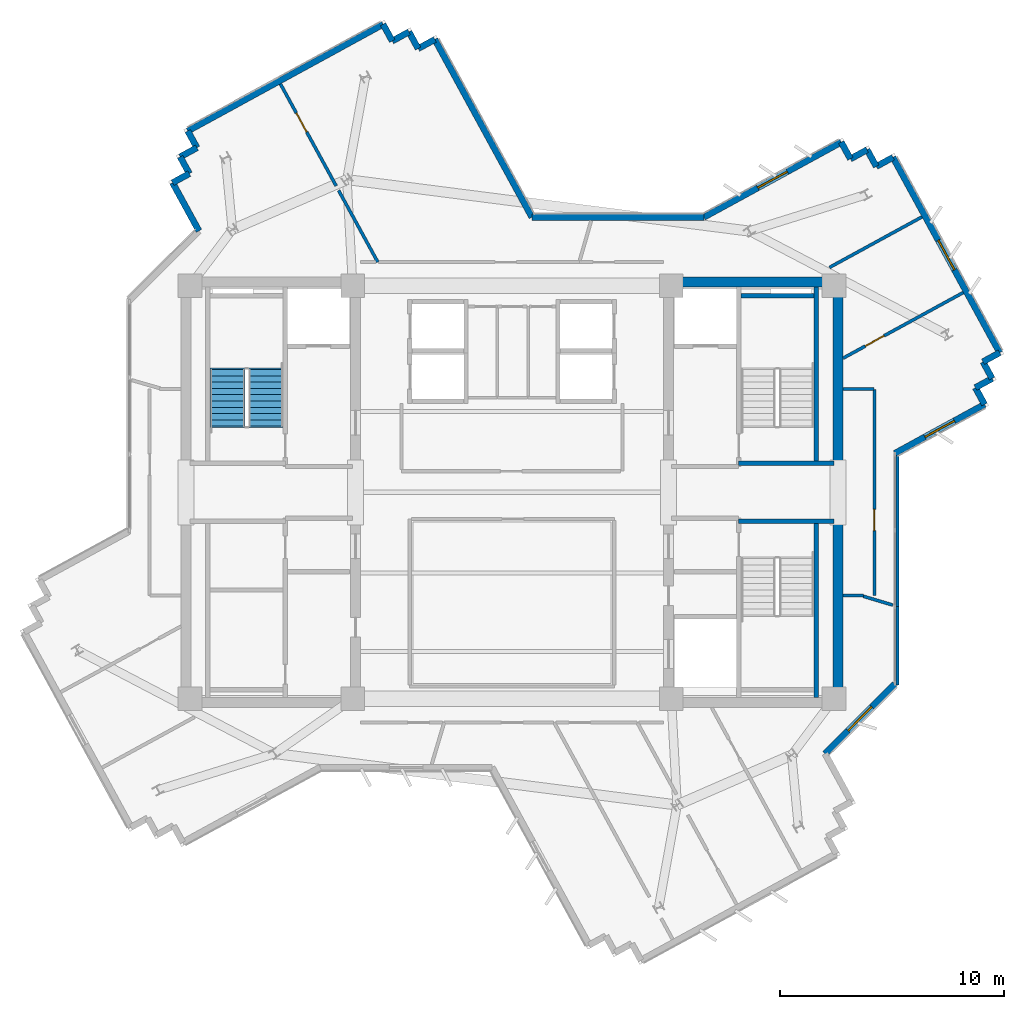
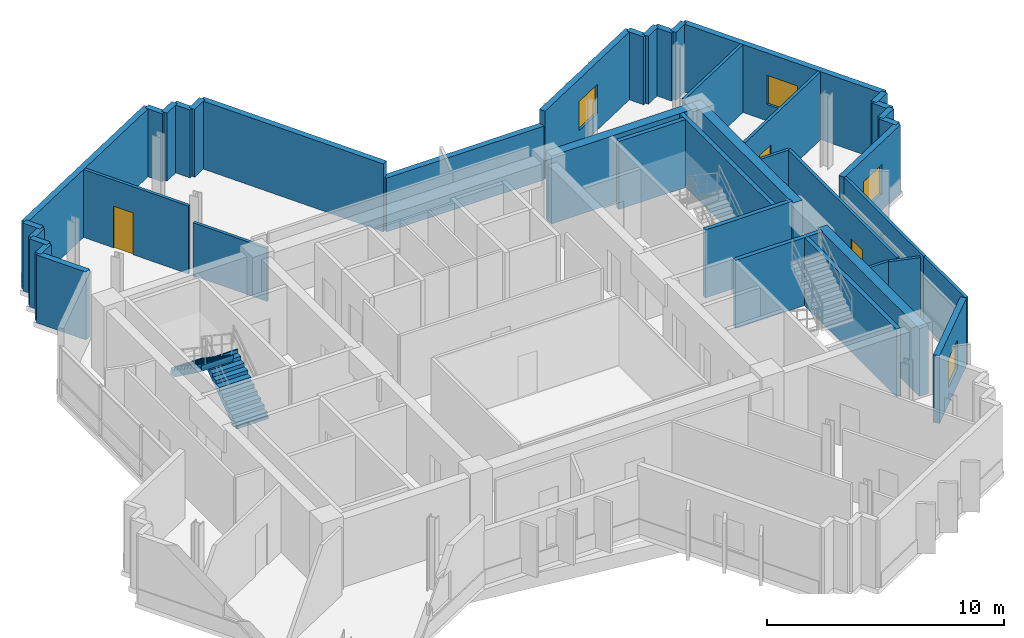
# One storey, part 8 of 13: 42 walls, 4 windows, 3 doors, 2 stair flights, 7 openings, 1 element without a shape of its own.
"""IFC4 building model written with IfcOpenShell, lengths in metres."""

from ifc_helpers import new_model, si_unit, direction, frame, frame_2d, origin, place, context, subcontext, project, spatial, polyline, rectangle, outline, extrude, source, transform, mapped, material, layer, layer_set, type_object, element, fill, aggregate, save


model = new_model("IFC4")

# Units and contexts
model_context = context("Model", 3, precision=1e-05, world=origin(), true_north=direction((0.0, 1.0)))
body_context = subcontext(model_context, "Body", "Model", "MODEL_VIEW")
ifc_project = project(units=[si_unit("LENGTHUNIT", "METRE"), si_unit("AREAUNIT", "SQUARE_METRE"), si_unit("VOLUMEUNIT", "CUBIC_METRE"), si_unit("PLANEANGLEUNIT", "RADIAN"), si_unit("MASSUNIT", "GRAM", prefix="KILO")], contexts=[model_context])

# Site, building, storey
site_placement = place(None, origin())
site = spatial("IfcSite", under=ifc_project, at=site_placement, CompositionType="ELEMENT")
building_placement = place(site_placement, origin())
building = spatial("IfcBuilding", under=site, at=building_placement, Name="Zahravan Cultural Tower", CompositionType="ELEMENT")
storey_placement = place(building_placement, frame((0.0, 0.0, 257.85009765625)))
storey = spatial("IfcBuildingStorey", under=building, at=storey_placement, Name="L61", CompositionType="ELEMENT", Elevation=257.85009765625)

# Wall, opening, window
ifc_material_1 = material(Name="Precast concrete C40/50", Category="concrete")
ifc_layer_1 = layer(ifc_material_1, 0.280029296875)
ifc_layer_set_1 = layer_set([ifc_layer_1], Name="Precast concrete C40/50")
wall_type_1 = type_object("IfcWallType", Name="EW-TC-280", PredefinedType="SOLIDWALL", material=ifc_layer_set_1)
wall_1_placement = place(storey_placement, frame((44.54931640625, 39.260009765625, 0.0), z_axis=(0.0, 0.0, 1.0), x_axis=(0.877569176667, 0.479450039279, 0.0)))
wall_1 = element("IfcWall", 1, at=wall_1_placement, inside=storey, type_object=wall_type_1, Name="L61 Exterior Masonry Frame Wall 01", PredefinedType="SOLIDWALL", context=body_context, shape_type="SweptSolid", body=[
    extrude(rectangle(XDim=6.979248046875, YDim=0.280029296875, at=frame_2d((3.48974609375, 0.0))), origin(), (0.0, 0.0, 1.0), 3.5),
])
opening_1_placement = place(wall_1_placement, frame((2.739990234375, 0.0, 0.85009765625)))
opening_1 = element("IfcOpeningElement", 2, at=opening_1_placement, cuts=wall_1, Name="Opening WN-03", PredefinedType="OPENING", context=body_context, shape_type="SweptSolid", body=[
    extrude(rectangle(XDim=1.5, YDim=1.5, at=frame_2d((0.75, 0.75))), frame((0.0, 0.14990234375, 0.0), z_axis=(0.0, -1.0, 0.0), x_axis=(1.0, 0.0, 0.0)), (0.0, 0.0, 1.0), 0.300048828125),
])
ifc_material_2 = material(Name="Low-E solar-control double glazing", Category="glass")
window_type = type_object("IfcWindowType", Name="WN-REC-1500X1500", PartitioningType="SINGLE_PANEL", PredefinedType="WINDOW", material=ifc_material_2)
shared_shape_1 = source(origin(), body_context, "Body", "SweptSolid", [
    extrude(rectangle(XDim=1.5, YDim=1.5, at=frame_2d((0.75, 0.75))), frame((0.0, 0.030029296875, 0.0), z_axis=(0.0, -1.0, 0.0), x_axis=(1.0, 0.0, 0.0)), (0.0, 0.0, 1.0), 0.06005859375),
])
window_1_placement = place(opening_1_placement, origin())
window_1 = element("IfcWindow", 3, at=window_1_placement, inside=storey, type_object=window_type, Name="L61 Recessed Solar Window 01", OverallHeight=1.5, OverallWidth=1.5, PartitioningType="SINGLE_PANEL", PredefinedType="WINDOW", context=body_context, shape_type="MappedRepresentation", body=[
    mapped(shared_shape_1, transform((0.0, 0.0, 0.0), x_axis=(1.0, 0.0, 0.0), y_axis=(0.0, 1.0, 0.0), z_axis=(0.0, 0.0, 1.0), scale=1.0)),
])
fill(opening_1, window_1)

wall_2_placement = place(storey_placement, frame((52.98095703125, 41.929443359375, 0.0), z_axis=(0.0, 0.0, 1.0), x_axis=(0.479472774144, -0.877556755347, 0.0)))
wall_2 = element("IfcWall", 4, at=wall_2_placement, inside=storey, type_object=wall_type_1, Name="L61 Exterior Masonry Frame Wall 06", PredefinedType="SOLIDWALL", context=body_context, shape_type="SweptSolid", body=[
    extrude(rectangle(XDim=9.919921875, YDim=0.280029296875, at=frame_2d((4.9599609375, 0.0))), origin(), (0.0, 0.0, 1.0), 3.5),
])
opening_2_placement = place(wall_2_placement, frame((4.2099609375, 0.0, 0.85009765625)))
opening_2 = element("IfcOpeningElement", 5, at=opening_2_placement, cuts=wall_2, Name="Opening WN-03", PredefinedType="OPENING", context=body_context, shape_type="SweptSolid", body=[
    extrude(rectangle(XDim=1.5, YDim=1.5, at=frame_2d((0.75, 0.75))), frame((0.0, 0.14990234375, 0.0), z_axis=(0.0, -1.0, 0.0), x_axis=(1.0, 0.0, 0.0)), (0.0, 0.0, 1.0), 0.300048828125),
])
window_2_placement = place(opening_2_placement, origin())
window_2 = element("IfcWindow", 6, at=window_2_placement, inside=storey, type_object=window_type, Name="L61 Recessed Solar Window 02", OverallHeight=1.5, OverallWidth=1.5, PartitioningType="SINGLE_PANEL", PredefinedType="WINDOW", context=body_context, shape_type="MappedRepresentation", body=[
    mapped(shared_shape_1, transform((0.0, 0.0, 0.0), x_axis=(1.0, 0.0, 0.0), y_axis=(0.0, 1.0, 0.0), z_axis=(0.0, 0.0, 1.0), scale=1.0)),
])
fill(opening_2, window_2)

wall_3_placement = place(storey_placement, frame((57.060302734375, 30.9169921875, 0.0), z_axis=(0.0, 0.0, 1.0), x_axis=(-0.877563774399, -0.479459927276, 0.0)))
wall_3 = element("IfcWall", 7, at=wall_3_placement, inside=storey, type_object=wall_type_1, Name="L61 Exterior Masonry Frame Wall 11", PredefinedType="SOLIDWALL", context=body_context, shape_type="SweptSolid", body=[
    extrude(rectangle(XDim=4.558349609375, YDim=0.280029296875, at=frame_2d((2.279296875, 0.0))), origin(), (0.0, 0.0, 1.0), 3.5),
])
opening_3_placement = place(wall_3_placement, frame((1.529052734375, 0.0, 0.85009765625)))
opening_3 = element("IfcOpeningElement", 8, at=opening_3_placement, cuts=wall_3, Name="Opening WN-03", PredefinedType="OPENING", context=body_context, shape_type="SweptSolid", body=[
    extrude(rectangle(XDim=1.5, YDim=1.5, at=frame_2d((0.75, 0.75))), frame((0.0, 0.14990234375, 0.0), z_axis=(0.0, -1.0, 0.0), x_axis=(1.0, 0.0, 0.0)), (0.0, 0.0, 1.0), 0.300048828125),
])
window_3_placement = place(opening_3_placement, origin())
window_3 = element("IfcWindow", 9, at=window_3_placement, inside=storey, type_object=window_type, Name="L61 Recessed Solar Window 03", OverallHeight=1.5, OverallWidth=1.5, PartitioningType="SINGLE_PANEL", PredefinedType="WINDOW", context=body_context, shape_type="MappedRepresentation", body=[
    mapped(shared_shape_1, transform((0.0, 0.0, 0.0), x_axis=(1.0, 0.0, 0.0), y_axis=(0.0, 1.0, 0.0), z_axis=(0.0, 0.0, 1.0), scale=1.0)),
])
fill(opening_3, window_3)

wall_4_placement = place(storey_placement, frame((53.06005859375, 18.4580078125, 0.0), z_axis=(0.0, 0.0, 1.0), x_axis=(-0.707106781187, -0.707106781187, 0.0)))
wall_4 = element("IfcWall", 10, at=wall_4_placement, inside=storey, type_object=wall_type_1, Name="L61 Exterior Masonry Frame Wall 12", PredefinedType="SOLIDWALL", context=body_context, shape_type="SweptSolid", body=[
    extrude(rectangle(XDim=4.3935546875, YDim=0.280029296875, at=frame_2d((2.19677734375, 0.0))), origin(), (0.0, 0.0, 1.0), 3.5),
])
opening_4_placement = place(wall_4_placement, frame((1.447021484375, 0.0, 0.85009765625)))
opening_4 = element("IfcOpeningElement", 11, at=opening_4_placement, cuts=wall_4, Name="Opening WN-03", PredefinedType="OPENING", context=body_context, shape_type="SweptSolid", body=[
    extrude(rectangle(XDim=1.5, YDim=1.5, at=frame_2d((0.75, 0.75))), frame((0.0, 0.14990234375, 0.0), z_axis=(0.0, -1.0, 0.0), x_axis=(1.0, 0.0, 0.0)), (0.0, 0.0, 1.0), 0.300048828125),
])
window_4_placement = place(opening_4_placement, origin())
window_4 = element("IfcWindow", 12, at=window_4_placement, inside=storey, type_object=window_type, Name="L61 Recessed Solar Window 04", OverallHeight=1.5, OverallWidth=1.5, PartitioningType="SINGLE_PANEL", PredefinedType="WINDOW", context=body_context, shape_type="MappedRepresentation", body=[
    mapped(shared_shape_1, transform((0.0, 0.0, 0.0), x_axis=(1.0, 0.0, 0.0), y_axis=(0.0, 1.0, 0.0), z_axis=(0.0, 0.0, 1.0), scale=1.0)),
])
fill(opening_4, window_4)

# Wall, opening, door
ifc_material_3 = material(Name="Gypsum plasterboard partition")
ifc_layer_2 = layer(ifc_material_3, 0.139892578125)
ifc_layer_set_2 = layer_set([ifc_layer_2], Name="Gypsum plasterboard partition")
wall_type_2 = type_object("IfcWallType", Name="W-PART-140", PredefinedType="PARTITIONING", material=ifc_layer_set_2)
wall_5_placement = place(storey_placement, frame((56.109375, 35.9013671875, 0.0), z_axis=(0.0, 0.0, 1.0), x_axis=(-0.877574248726, -0.479440755436, 0.0)))
wall_5 = element("IfcWall", 13, at=wall_5_placement, inside=storey, type_object=wall_type_2, Name="L61 Interior Wall 050", PredefinedType="PARTITIONING", context=body_context, shape_type="SweptSolid", body=[
    extrude(rectangle(XDim=6.1015625, YDim=0.139892578125, at=frame_2d((3.05078125, 0.0))), origin(), (0.0, 0.0, 1.0), 3.5),
])
opening_5_placement = place(wall_5_placement, frame((4.01806640625, 0.0, 0.0)))
opening_5 = element("IfcOpeningElement", 14, at=opening_5_placement, cuts=wall_5, Name="Opening D-L61-24", PredefinedType="OPENING", context=body_context, shape_type="SweptSolid", body=[
    extrude(rectangle(XDim=0.949951171875, YDim=2.14990234375, at=frame_2d((0.47509765625, 1.074951171875))), frame((0.0, 0.079833984375, 0.0), z_axis=(0.0, -1.0, 0.0), x_axis=(1.0, 0.0, 0.0)), (0.0, 0.0, 1.0), 0.159912109375),
])
ifc_material_4 = material(Name="Anodised bronze-aluminium mullion", Category="aluminium")
door_type = type_object("IfcDoorType", Name="DR-ROOM-950", OperationType="NOTDEFINED", PredefinedType="DOOR", material=ifc_material_4)
shared_shape_2 = source(origin(), body_context, "Body", "SweptSolid", [
    extrude(rectangle(XDim=0.949951171875, YDim=2.14990234375, at=frame_2d((0.47509765625, 1.074951171875))), frame((0.0, 0.02490234375, 0.0), z_axis=(0.0, -1.0, 0.0), x_axis=(1.0, 0.0, 0.0)), (0.0, 0.0, 1.0), 0.050048828125),
])
door_1_placement = place(opening_5_placement, origin())
door_1 = element("IfcDoor", 15, at=door_1_placement, inside=storey, type_object=door_type, Name="L61 Door D-L61-24", OperationType="SINGLE_SWING_RIGHT", OverallHeight=2.14990234375, OverallWidth=0.949951171875, PredefinedType="DOOR", context=body_context, shape_type="MappedRepresentation", body=[
    mapped(shared_shape_2, transform((0.0, 0.0, 0.0), x_axis=(1.0, 0.0, 0.0), y_axis=(0.0, 1.0, 0.0), z_axis=(0.0, 0.0, 1.0), scale=1.0)),
])
fill(opening_5, door_1)

wall_6_placement = place(storey_placement, frame((52.14990234375, 22.406005859375, 0.0), z_axis=(0.0, 0.0, 1.0), x_axis=(-2.657666e-05, 0.999999999647, 0.0)))
wall_6 = element("IfcWall", 16, at=wall_6_placement, inside=storey, type_object=wall_type_2, Name="L61 Interior Wall 066", PredefinedType="PARTITIONING", context=body_context, shape_type="SweptSolid", body=[
    extrude(rectangle(XDim=9.186279296875, YDim=0.139892578125, at=frame_2d((4.59326171875, 0.0))), origin(), (0.0, 0.0, 1.0), 3.5),
])
opening_6_placement = place(wall_6_placement, frame((2.8828125, 0.0, 0.0)))
opening_6 = element("IfcOpeningElement", 17, at=opening_6_placement, cuts=wall_6, Name="Opening D-L61-17", PredefinedType="OPENING", context=body_context, shape_type="SweptSolid", body=[
    extrude(rectangle(XDim=0.949951171875, YDim=2.14990234375, at=frame_2d((0.47509765625, 1.074951171875))), frame((0.0, 0.079833984375, 0.0), z_axis=(0.0, -1.0, 0.0), x_axis=(1.0, 0.0, 0.0)), (0.0, 0.0, 1.0), 0.159912109375),
])
door_2_placement = place(opening_6_placement, origin())
door_2 = element("IfcDoor", 18, at=door_2_placement, inside=storey, type_object=door_type, Name="L61 Door D-L61-17", OperationType="SINGLE_SWING_LEFT", OverallHeight=2.14990234375, OverallWidth=0.949951171875, PredefinedType="DOOR", context=body_context, shape_type="MappedRepresentation", body=[
    mapped(shared_shape_2, transform((0.0, 0.0, 0.0), x_axis=(1.0, 0.0, 0.0), y_axis=(0.0, 1.0, 0.0), z_axis=(0.0, 0.0, 1.0), scale=1.0)),
])
fill(opening_6, door_2)

wall_7_placement = place(storey_placement, frame((25.6826171875, 45.196044921875, 0.0), z_axis=(0.0, 0.0, 1.0), x_axis=(0.479427410708, -0.877581539153, 0.0)))
wall_7 = element("IfcWall", 19, at=wall_7_placement, inside=storey, type_object=wall_type_2, Name="L61 Interior Wall 077", PredefinedType="PARTITIONING", context=body_context, shape_type="SweptSolid", body=[
    extrude(rectangle(XDim=5.1728515625, YDim=0.139892578125, at=frame_2d((2.58642578125, 0.0))), origin(), (0.0, 0.0, 1.0), 3.5),
])
opening_7_placement = place(wall_7_placement, frame((1.47802734375, 0.0, 0.0)))
opening_7 = element("IfcOpeningElement", 20, at=opening_7_placement, cuts=wall_7, Name="Opening D-L61-25", PredefinedType="OPENING", context=body_context, shape_type="SweptSolid", body=[
    extrude(rectangle(XDim=0.949951171875, YDim=2.14990234375, at=frame_2d((0.47509765625, 1.074951171875))), frame((0.0, 0.079833984375, 0.0), z_axis=(0.0, -1.0, 0.0), x_axis=(1.0, 0.0, 0.0)), (0.0, 0.0, 1.0), 0.159912109375),
])
door_3_placement = place(opening_7_placement, origin())
door_3 = element("IfcDoor", 21, at=door_3_placement, inside=storey, type_object=door_type, Name="L61 Door D-L61-25", OperationType="SINGLE_SWING_LEFT", OverallHeight=2.14990234375, OverallWidth=0.949951171875, PredefinedType="DOOR", context=body_context, shape_type="MappedRepresentation", body=[
    mapped(shared_shape_2, transform((0.0, 0.0, 0.0), x_axis=(1.0, 0.0, 0.0), y_axis=(0.0, 1.0, 0.0), z_axis=(0.0, 0.0, 1.0), scale=1.0)),
])
fill(opening_7, door_3)

# Walls
ifc_material_5 = material(Name="Concrete C50/60", Category="concrete")
ifc_layer_3 = layer(ifc_material_5, 0.449951171875)
ifc_layer_set_3 = layer_set([ifc_layer_3], Name="Concrete C50/60")
wall_type_3 = type_object("IfcWallType", Name="CW-SHEAR-450-C50", PredefinedType="SHEAR", material=ifc_layer_set_3)
shared_shape_3 = source(origin(), body_context, "Body", "SweptSolid", [
    extrude(rectangle(XDim=8.550048828125, YDim=0.449951171875, at=frame_2d((4.27490234375, 0.0))), origin(), (0.0, 0.0, 1.0), 3.5),
])
for number, where, z_axis, x_axis, name in (
    (22, (50.52490234375, 17.39990234375, 0.0), (0.0, 0.0, 1.0), (0.0, 1.0, 0.0), "L61 Core Shear Wall CW-E-ES-L61"),
    (23, (50.52490234375, 28.050048828125, 0.0), (0.0, 0.0, 1.0), (0.0, 1.0, 0.0), "L61 Core Shear Wall CW-E-EN-L61"),
):
    element("IfcWall", number, at=place(storey_placement, frame(where, z_axis=z_axis, x_axis=x_axis)), inside=storey, type_object=wall_type_3, Name=name, PredefinedType="SHEAR", context=body_context, shape_type="MappedRepresentation", body=[
        mapped(shared_shape_3, transform((0.0, 0.0, 0.0), x_axis=(1.0, 0.0, 0.0), y_axis=(0.0, 1.0, 0.0), z_axis=(0.0, 0.0, 1.0), scale=1.0)),
    ])
shared_shape_4 = source(origin(), body_context, "Body", "SweptSolid", [
    extrude(rectangle(XDim=7.10009765625, YDim=0.449951171875, at=frame_2d((3.550048828125, 0.0))), origin(), (0.0, 0.0, 1.0), 3.5),
])
wall_8_placement = place(storey_placement, frame((43.199951171875, 36.375, 0.0), z_axis=(0.0, 0.0, 1.0), x_axis=(1.0, 0.0, 0.0)))
element("IfcWall", 24, at=wall_8_placement, inside=storey, type_object=wall_type_3, Name="L61 Core Shear Wall CW-E-N-L61", PredefinedType="SHEAR", context=body_context, shape_type="MappedRepresentation", body=[
    mapped(shared_shape_4, transform((0.0, 0.0, 0.0), x_axis=(1.0, 0.0, 0.0), y_axis=(0.0, 1.0, 0.0), z_axis=(0.0, 0.0, 1.0), scale=1.0)),
])
shared_shape_5 = source(origin(), body_context, "Body", "SweptSolid", [
    extrude(rectangle(XDim=0.85009765625, YDim=0.280029296875, at=frame_2d((0.425048828125, 0.0))), origin(), (0.0, 0.0, 1.0), 3.5),
])
for number, where, z_axis, x_axis, name in (
    (25, (51.827392578125, 42.267822265625, 0.0), (0.0, 0.0, 1.0), (0.479656876283, -0.877456141943, 0.0), "L61 Exterior Masonry Frame Wall 04"),
    (26, (56.65283203125, 31.6630859375, 0.0), (0.0, 0.0, 1.0), (0.479314855696, -0.877643019177, 0.0), "L61 Exterior Masonry Frame Wall 10"),
    (27, (21.619140625, 41.2041015625, 0.0), (0.0, 0.0, 1.0), (-0.479656876283, 0.877456141943, 0.0), "L61 Exterior Masonry Frame Wall 39"),
    (28, (21.21142578125, 41.949951171875, 0.0), (0.0, 0.0, 1.0), (0.877643019177, 0.479314855696, 0.0), "L61 Exterior Masonry Frame Wall 40"),
    (29, (31.40869140625, 47.521240234375, 0.0), (0.0, 0.0, 1.0), (0.479656876283, -0.877456141943, 0.0), "L61 Exterior Masonry Frame Wall 45"),
):
    element("IfcWall", number, at=place(storey_placement, frame(where, z_axis=z_axis, x_axis=x_axis)), inside=storey, type_object=wall_type_1, Name=name, PredefinedType="SOLIDWALL", context=body_context, shape_type="MappedRepresentation", body=[
        mapped(shared_shape_5, transform((0.0, 0.0, 0.0), x_axis=(1.0, 0.0, 0.0), y_axis=(0.0, 1.0, 0.0), z_axis=(0.0, 0.0, 1.0), scale=1.0)),
    ])
shared_shape_6 = source(origin(), body_context, "Body", "SweptSolid", [
    extrude(rectangle(XDim=0.849853515625, YDim=0.280029296875, at=frame_2d((0.4248046875, 0.0))), origin(), (0.0, 0.0, 1.0), 3.5),
])
for number, where, z_axis, x_axis, name in (
    (30, (50.674072265625, 42.606201171875, 0.0), (0.0, 0.0, 1.0), (0.479435691737, -0.877577015132, 0.0), "L61 Exterior Masonry Frame Wall 02"),
    (31, (51.08154296875, 41.8603515625, 0.0), (0.0, 0.0, 1.0), (0.877577015132, 0.479435691737, 0.0), "L61 Exterior Masonry Frame Wall 03"),
    (32, (52.235107421875, 41.52197265625, 0.0), (0.0, 0.0, 1.0), (0.877577015132, 0.479435691737, 0.0), "L61 Exterior Masonry Frame Wall 05"),
    (33, (56.9912109375, 32.81640625, 0.0), (0.0, 0.0, 1.0), (0.479435691737, -0.877577015132, 0.0), "L61 Exterior Masonry Frame Wall 08"),
    (34, (57.398681640625, 32.070556640625, 0.0), (0.0, 0.0, 1.0), (-0.877577015132, -0.479435691737, 0.0), "L61 Exterior Masonry Frame Wall 09"),
    (35, (30.25537109375, 47.859619140625, 0.0), (0.0, 0.0, 1.0), (0.479435691737, -0.877577015132, 0.0), "L61 Exterior Masonry Frame Wall 43"),
    (36, (30.662841796875, 47.11376953125, 0.0), (0.0, 0.0, 1.0), (0.877577015132, 0.479435691737, 0.0), "L61 Exterior Masonry Frame Wall 44"),
    (37, (31.81640625, 46.775390625, 0.0), (0.0, 0.0, 1.0), (0.877577015132, 0.479435691737, 0.0), "L61 Exterior Masonry Frame Wall 46"),
):
    element("IfcWall", number, at=place(storey_placement, frame(where, z_axis=z_axis, x_axis=x_axis)), inside=storey, type_object=wall_type_1, Name=name, PredefinedType="SOLIDWALL", context=body_context, shape_type="MappedRepresentation", body=[
        mapped(shared_shape_6, transform((0.0, 0.0, 0.0), x_axis=(1.0, 0.0, 0.0), y_axis=(0.0, 1.0, 0.0), z_axis=(0.0, 0.0, 1.0), scale=1.0)),
    ])
shared_shape_7 = source(origin(), body_context, "Body", "SweptSolid", [
    extrude(rectangle(XDim=9.920166015625, YDim=0.280029296875, at=frame_2d((4.9599609375, 0.0))), origin(), (0.0, 0.0, 1.0), 3.5),
])
wall_9_placement = place(storey_placement, frame((21.5498046875, 43.103515625, 0.0), z_axis=(0.0, 0.0, 1.0), x_axis=(0.877572768104, 0.479443465574, 0.0)))
element("IfcWall", 38, at=wall_9_placement, inside=storey, type_object=wall_type_1, Name="L61 Exterior Masonry Frame Wall 42", PredefinedType="SOLIDWALL", context=body_context, shape_type="MappedRepresentation", body=[
    mapped(shared_shape_7, transform((0.0, 0.0, 0.0), x_axis=(1.0, 0.0, 0.0), y_axis=(0.0, 1.0, 0.0), z_axis=(0.0, 0.0, 1.0), scale=1.0)),
])
shared_shape_8 = source(origin(), body_context, "Body", "SweptSolid", [
    extrude(rectangle(XDim=0.850341796875, YDim=0.280029296875, at=frame_2d((0.42529296875, 0.0))), origin(), (0.0, 0.0, 1.0), 3.5),
])
for number, where, z_axis, x_axis, name in (
    (39, (57.7373046875, 33.22412109375, 0.0), (0.0, 0.0, 1.0), (-0.87752219781, -0.479536017782, 0.0), "L61 Exterior Masonry Frame Wall 07"),
    (40, (20.873046875, 40.79638671875, 0.0), (0.0, 0.0, 1.0), (0.87752219781, 0.479536017782, 0.0), "L61 Exterior Masonry Frame Wall 38"),
    (41, (21.95751953125, 42.357421875, 0.0), (0.0, 0.0, 1.0), (-0.479536017782, 0.87752219781, 0.0), "L61 Exterior Masonry Frame Wall 41"),
):
    element("IfcWall", number, at=place(storey_placement, frame(where, z_axis=z_axis, x_axis=x_axis)), inside=storey, type_object=wall_type_1, Name=name, PredefinedType="SOLIDWALL", context=body_context, shape_type="MappedRepresentation", body=[
        mapped(shared_shape_8, transform((0.0, 0.0, 0.0), x_axis=(1.0, 0.0, 0.0), y_axis=(0.0, 1.0, 0.0), z_axis=(0.0, 0.0, 1.0), scale=1.0)),
    ])
shared_shape_9 = source(origin(), body_context, "Body", "SweptSolid", [
    extrude(rectangle(XDim=2.447509765625, YDim=0.280029296875, at=frame_2d((1.2236328125, 0.0))), origin(), (0.0, 0.0, 1.0), 3.5),
])
wall_10_placement = place(storey_placement, frame((22.046630859375, 38.648681640625, 0.0), z_axis=(0.0, 0.0, 1.0), x_axis=(-0.47951595933, 0.877533158774, 0.0)))
element("IfcWall", 42, at=wall_10_placement, inside=storey, type_object=wall_type_1, Name="L61 Exterior Masonry Frame Wall 37", PredefinedType="SOLIDWALL", context=body_context, shape_type="MappedRepresentation", body=[
    mapped(shared_shape_9, transform((0.0, 0.0, 0.0), x_axis=(1.0, 0.0, 0.0), y_axis=(0.0, 1.0, 0.0), z_axis=(0.0, 0.0, 1.0), scale=1.0)),
])
shared_shape_10 = source(origin(), body_context, "Body", "SweptSolid", [
    extrude(rectangle(XDim=9.0283203125, YDim=0.280029296875, at=frame_2d((4.51416015625, 0.0))), origin(), (0.0, 0.0, 1.0), 3.5),
])
wall_11_placement = place(storey_placement, frame((32.562255859375, 47.182861328125, 0.0), z_axis=(0.0, 0.0, 1.0), x_axis=(0.479475345647, -0.877555350344, 0.0)))
element("IfcWall", 43, at=wall_11_placement, inside=storey, type_object=wall_type_1, Name="L61 Exterior Masonry Frame Wall 47", PredefinedType="SOLIDWALL", context=body_context, shape_type="MappedRepresentation", body=[
    mapped(shared_shape_10, transform((0.0, 0.0, 0.0), x_axis=(1.0, 0.0, 0.0), y_axis=(0.0, 1.0, 0.0), z_axis=(0.0, 0.0, 1.0), scale=1.0)),
])
shared_shape_11 = source(origin(), body_context, "Body", "SweptSolid", [
    extrude(rectangle(XDim=7.658203125, YDim=0.280029296875, at=frame_2d((3.8291015625, 0.0))), origin(), (0.0, 0.0, 1.0), 2.77197265625),
])
wall_12_placement = place(storey_placement, frame((36.89111328125, 39.260009765625, 0.0), z_axis=(0.0, 0.0, 1.0), x_axis=(1.0, 0.0, 0.0)))
element("IfcWall", 44, at=wall_12_placement, inside=storey, type_object=wall_type_1, Name="L61 Exterior Masonry Frame Wall 48", PredefinedType="SOLIDWALL", context=body_context, shape_type="MappedRepresentation", body=[
    mapped(shared_shape_11, transform((0.0, 0.0, 0.0), x_axis=(1.0, 0.0, 0.0), y_axis=(0.0, 1.0, 0.0), z_axis=(0.0, 0.0, 1.0), scale=1.0)),
])
ifc_material_6 = material(Name="Concrete C45/55", Category="concrete")
ifc_layer_4 = layer(ifc_material_6, 0.199951171875)
ifc_layer_set_4 = layer_set([ifc_layer_4], Name="Concrete C45/55")
wall_type_4 = type_object("IfcWallType", Name="W-SHAFT-200", PredefinedType="SOLIDWALL", material=ifc_layer_set_4)
shared_shape_12 = source(origin(), body_context, "Body", "SweptSolid", [
    extrude(rectangle(XDim=7.869873046875, YDim=0.199951171875, at=frame_2d((3.93505859375, 0.0))), origin(), (0.0, 0.0, 1.0), 3.5),
])
for number, where, z_axis, x_axis, name in (
    (45, (49.550048828125, 17.85009765625, 0.0), (0.0, 0.0, 1.0), (0.0, 1.0, 0.0), "L61 Interior Wall 003"),
    (46, (49.550048828125, 28.280029296875, 0.0), (0.0, 0.0, 1.0), (0.0, 1.0, 0.0), "L61 Interior Wall 004"),
):
    element("IfcWall", number, at=place(storey_placement, frame(where, z_axis=z_axis, x_axis=x_axis)), inside=storey, type_object=wall_type_4, Name=name, PredefinedType="SOLIDWALL", context=body_context, shape_type="MappedRepresentation", body=[
        mapped(shared_shape_12, transform((0.0, 0.0, 0.0), x_axis=(1.0, 0.0, 0.0), y_axis=(0.0, 1.0, 0.0), z_axis=(0.0, 0.0, 1.0), scale=1.0)),
    ])
shared_shape_13 = source(origin(), body_context, "Body", "SweptSolid", [
    extrude(rectangle(XDim=4.25, YDim=0.199951171875, at=frame_2d((2.125, 0.0))), origin(), (0.0, 0.0, 1.0), 3.5),
])
for number, where, z_axis, x_axis, name in (
    (47, (46.10009765625, 25.715087890625, 0.0), (0.0, 0.0, 1.0), (1.0, 0.0, 0.0), "L61 Interior Wall 014"),
    (48, (46.10009765625, 28.284912109375, 0.0), (0.0, 0.0, 1.0), (1.0, 0.0, 0.0), "L61 Interior Wall 016"),
):
    element("IfcWall", number, at=place(storey_placement, frame(where, z_axis=z_axis, x_axis=x_axis)), inside=storey, type_object=wall_type_4, Name=name, PredefinedType="SOLIDWALL", context=body_context, shape_type="MappedRepresentation", body=[
        mapped(shared_shape_13, transform((0.0, 0.0, 0.0), x_axis=(1.0, 0.0, 0.0), y_axis=(0.0, 1.0, 0.0), z_axis=(0.0, 0.0, 1.0), scale=1.0)),
    ])
shared_shape_14 = source(origin(), body_context, "Body", "SweptSolid", [
    extrude(rectangle(XDim=3.25, YDim=0.199951171875, at=frame_2d((1.625, 0.0))), origin(), (0.0, 0.0, 1.0), 3.5),
])
wall_13_placement = place(storey_placement, frame((46.199951171875, 35.75, 0.0), z_axis=(0.0, 0.0, 1.0), x_axis=(1.0, 0.0, 0.0)))
element("IfcWall", 49, at=wall_13_placement, inside=storey, type_object=wall_type_4, Name="L61 Interior Wall 018", PredefinedType="SOLIDWALL", context=body_context, shape_type="MappedRepresentation", body=[
    mapped(shared_shape_14, transform((0.0, 0.0, 0.0), x_axis=(1.0, 0.0, 0.0), y_axis=(0.0, 1.0, 0.0), z_axis=(0.0, 0.0, 1.0), scale=1.0)),
])
shared_shape_15 = source(origin(), body_context, "Body", "SweptSolid", [
    extrude(rectangle(XDim=4.6953125, YDim=0.139892578125, at=frame_2d((2.34765625, 0.0))), origin(), (0.0, 0.0, 1.0), 3.5),
])
wall_14_placement = place(storey_placement, frame((50.147705078125, 37.02001953125, 0.0), z_axis=(0.0, 0.0, 1.0), x_axis=(0.877559526902, 0.479467701461, 0.0)))
element("IfcWall", 50, at=wall_14_placement, inside=storey, type_object=wall_type_2, Name="L61 Interior Wall 049", PredefinedType="PARTITIONING", context=body_context, shape_type="MappedRepresentation", body=[
    mapped(shared_shape_15, transform((0.0, 0.0, 0.0), x_axis=(1.0, 0.0, 0.0), y_axis=(0.0, 1.0, 0.0), z_axis=(0.0, 0.0, 1.0), scale=1.0)),
])
shared_shape_16 = source(origin(), body_context, "Body", "SweptSolid", [
    extrude(rectangle(XDim=1.38916015625, YDim=0.139892578125, at=frame_2d((0.694580078125, 0.0))), origin(), (0.0, 0.0, 1.0), 3.5),
])
wall_15_placement = place(storey_placement, frame((52.14404296875, 31.60009765625, 0.0), z_axis=(0.0, 0.0, 1.0), x_axis=(-1.0, 0.0, 0.0)))
element("IfcWall", 51, at=wall_15_placement, inside=storey, type_object=wall_type_2, Name="L61 Interior Wall 067", PredefinedType="PARTITIONING", context=body_context, shape_type="MappedRepresentation", body=[
    mapped(shared_shape_16, transform((0.0, 0.0, 0.0), x_axis=(1.0, 0.0, 0.0), y_axis=(0.0, 1.0, 0.0), z_axis=(0.0, 0.0, 1.0), scale=1.0)),
])
shared_shape_17 = source(origin(), body_context, "Body", "SweptSolid", [
    extrude(rectangle(XDim=6.7216796875, YDim=0.139892578125, at=frame_2d((3.36083984375, 0.0))), origin(), (0.0, 0.0, 1.0), 3.5),
])
wall_16_placement = place(storey_placement, frame((53.18359375, 28.6337890625, 0.0), z_axis=(0.0, 0.0, 1.0), x_axis=(-0.000544820492, -0.999999851585, 0.0)))
element("IfcWall", 52, at=wall_16_placement, inside=storey, type_object=wall_type_2, Name="L61 Interior Wall 068", PredefinedType="PARTITIONING", context=body_context, shape_type="MappedRepresentation", body=[
    mapped(shared_shape_17, transform((0.0, 0.0, 0.0), x_axis=(1.0, 0.0, 0.0), y_axis=(0.0, 1.0, 0.0), z_axis=(0.0, 0.0, 1.0), scale=1.0)),
])
shared_shape_18 = source(origin(), body_context, "Body", "SweptSolid", [
    extrude(rectangle(XDim=1.372802734375, YDim=0.139892578125, at=frame_2d((0.6865234375, 0.0))), origin(), (0.0, 0.0, 1.0), 3.5),
])
wall_17_placement = place(storey_placement, frame((52.972412109375, 21.97412109375, 0.0), z_axis=(0.0, 0.0, 1.0), x_axis=(-0.958236472503, 0.285977031883, 0.0)))
element("IfcWall", 53, at=wall_17_placement, inside=storey, type_object=wall_type_2, Name="L61 Interior Wall 069", PredefinedType="PARTITIONING", context=body_context, shape_type="MappedRepresentation", body=[
    mapped(shared_shape_18, transform((0.0, 0.0, 0.0), x_axis=(1.0, 0.0, 0.0), y_axis=(0.0, 1.0, 0.0), z_axis=(0.0, 0.0, 1.0), scale=1.0)),
])
shared_shape_19 = source(origin(), body_context, "Body", "SweptSolid", [
    extrude(rectangle(XDim=0.912109375, YDim=0.139892578125, at=frame_2d((0.4560546875, 0.0))), origin(), (0.0, 0.0, 1.0), 3.5),
])
wall_18_placement = place(storey_placement, frame((50.7548828125, 22.39990234375, 0.0), z_axis=(0.0, 0.0, 1.0), x_axis=(1.0, 0.0, 0.0)))
element("IfcWall", 54, at=wall_18_placement, inside=storey, type_object=wall_type_2, Name="L61 Interior Wall 070", PredefinedType="PARTITIONING", context=body_context, shape_type="MappedRepresentation", body=[
    mapped(shared_shape_19, transform((0.0, 0.0, 0.0), x_axis=(1.0, 0.0, 0.0), y_axis=(0.0, 1.0, 0.0), z_axis=(0.0, 0.0, 1.0), scale=1.0)),
])
shared_shape_20 = source(origin(), body_context, "Body", "SweptSolid", [
    extrude(rectangle(XDim=3.50390625, YDim=0.139892578125, at=frame_2d((1.751953125, 0.0))), origin(), (0.0, 0.0, 1.0), 3.5),
])
wall_19_placement = place(storey_placement, frame((53.179931640625, 21.912109375, 0.0), z_axis=(0.0, 0.0, 1.0), x_axis=(0.0, -1.0, 0.0)))
element("IfcWall", 55, at=wall_19_placement, inside=storey, type_object=wall_type_2, Name="L61 Interior Wall 071", PredefinedType="PARTITIONING", context=body_context, shape_type="MappedRepresentation", body=[
    mapped(shared_shape_20, transform((0.0, 0.0, 0.0), x_axis=(1.0, 0.0, 0.0), y_axis=(0.0, 1.0, 0.0), z_axis=(0.0, 0.0, 1.0), scale=1.0)),
])
shared_shape_21 = source(origin(), body_context, "Body", "SweptSolid", [
    extrude(rectangle(XDim=3.6435546875, YDim=0.139892578125, at=frame_2d((1.82177734375, 0.0))), origin(), (0.0, 0.0, 1.0), 2.72998046875),
])
wall_20_placement = place(storey_placement, frame((28.271484375, 40.457275390625, 0.0), z_axis=(0.0, 0.0, 1.0), x_axis=(0.479509272429, -0.877536812706, 0.0)))
element("IfcWall", 56, at=wall_20_placement, inside=storey, type_object=wall_type_2, Name="L61 Interior Wall 078", PredefinedType="PARTITIONING", context=body_context, shape_type="MappedRepresentation", body=[
    mapped(shared_shape_21, transform((0.0, 0.0, 0.0), x_axis=(1.0, 0.0, 0.0), y_axis=(0.0, 1.0, 0.0), z_axis=(0.0, 0.0, 1.0), scale=1.0)),
])

# Stair, stair flights
stair_type = type_object("IfcStairType", Name="STR-DL-1550-375", PredefinedType="HALF_TURN_STAIR", material=ifc_material_6)
stair_placement = place(storey_placement, origin())
stair = element("IfcStair", 57, at=stair_placement, inside=storey, type_object=stair_type, Name="L61 West Core North Exit Stair ST-W1", PredefinedType="HALF_TURN_STAIR")
stair_flight_type = type_object("IfcStairFlightType", Name="FLG-DL-1550-375", PredefinedType="STRAIGHT", material=ifc_material_6)
stair_flight_1_placement = place(storey_placement, frame((25.02490234375, 29.949951171875, 0.0), z_axis=(0.0, 0.0, 1.0), x_axis=(0.0, 1.0, 0.0)))
stair_flight_1 = element("IfcStairFlight", 58, at=stair_flight_1_placement, type_object=stair_flight_type, Name="ST-W1 flight 1", NumberOfRisers=10, NumberOfTreads=9, PredefinedType="STRAIGHT", RiserHeight=0.1875, TreadLength=0.28, context=body_context, shape_type="SweptSolid", body=[
    extrude(outline(polyline([(-0.06494140625, -0.139892578125), (-0.06494140625, 0.0), (0.0, 0.0), (0.0, 0.1875), (0.280029296875, 0.1875), (0.280029296875, 0.375), (0.56005859375, 0.375), (0.56005859375, 0.5625), (0.840087890625, 0.5625), (0.840087890625, 0.75), (1.1201171875, 0.75), (1.1201171875, 0.9375), (1.39990234375, 0.9375), (1.39990234375, 1.125), (1.679931640625, 1.125), (1.679931640625, 1.3125), (1.9599609375, 1.3125), (1.9599609375, 1.5), (2.239990234375, 1.5), (2.239990234375, 1.6875), (2.52001953125, 1.6875), (2.52001953125, 1.875), (2.5849609375, 1.875), (2.5849609375, 1.72509765625), (2.52001953125, 1.507080078125), (0.26953125, -0.139892578125), (-0.06494140625, -0.139892578125)])), frame((0.0, 0.77490234375, 0.0), z_axis=(0.0, -1.0, 0.0), x_axis=(1.0, 0.0, 0.0)), (0.0, 0.0, 1.0), 1.550048828125),
])
stair_flight_2_placement = place(storey_placement, frame((23.324951171875, 32.469970703125, 1.875), z_axis=(0.0, 0.0, 1.0), x_axis=(0.0, -1.0, 0.0)))
stair_flight_2 = element("IfcStairFlight", 59, at=stair_flight_2_placement, type_object=stair_flight_type, Name="ST-W1 flight 2", NumberOfRisers=10, NumberOfTreads=9, PredefinedType="STRAIGHT", RiserHeight=0.1875, TreadLength=0.28, context=body_context, shape_type="SweptSolid", body=[
    extrude(outline(polyline([(-0.06494140625, -0.139892578125), (-0.06494140625, 0.0), (0.0, 0.0), (0.0, 0.1875), (0.280029296875, 0.1875), (0.280029296875, 0.375), (0.56005859375, 0.375), (0.56005859375, 0.5625), (0.840087890625, 0.5625), (0.840087890625, 0.75), (1.1201171875, 0.75), (1.1201171875, 0.9375), (1.39990234375, 0.9375), (1.39990234375, 1.125), (1.679931640625, 1.125), (1.679931640625, 1.3125), (1.9599609375, 1.3125), (1.9599609375, 1.5), (2.239990234375, 1.5), (2.239990234375, 1.6875), (2.52001953125, 1.6875), (2.52001953125, 1.875), (2.5849609375, 1.875), (2.5849609375, 1.72509765625), (2.52001953125, 1.507080078125), (0.26953125, -0.139892578125), (-0.06494140625, -0.139892578125)])), frame((0.0, 0.77490234375, 0.0), z_axis=(0.0, -1.0, 0.0), x_axis=(1.0, 0.0, 0.0)), (0.0, 0.0, 1.0), 1.550048828125),
])
aggregate(stair, [stair_flight_1, stair_flight_2])

save(model, "model.ifc")
